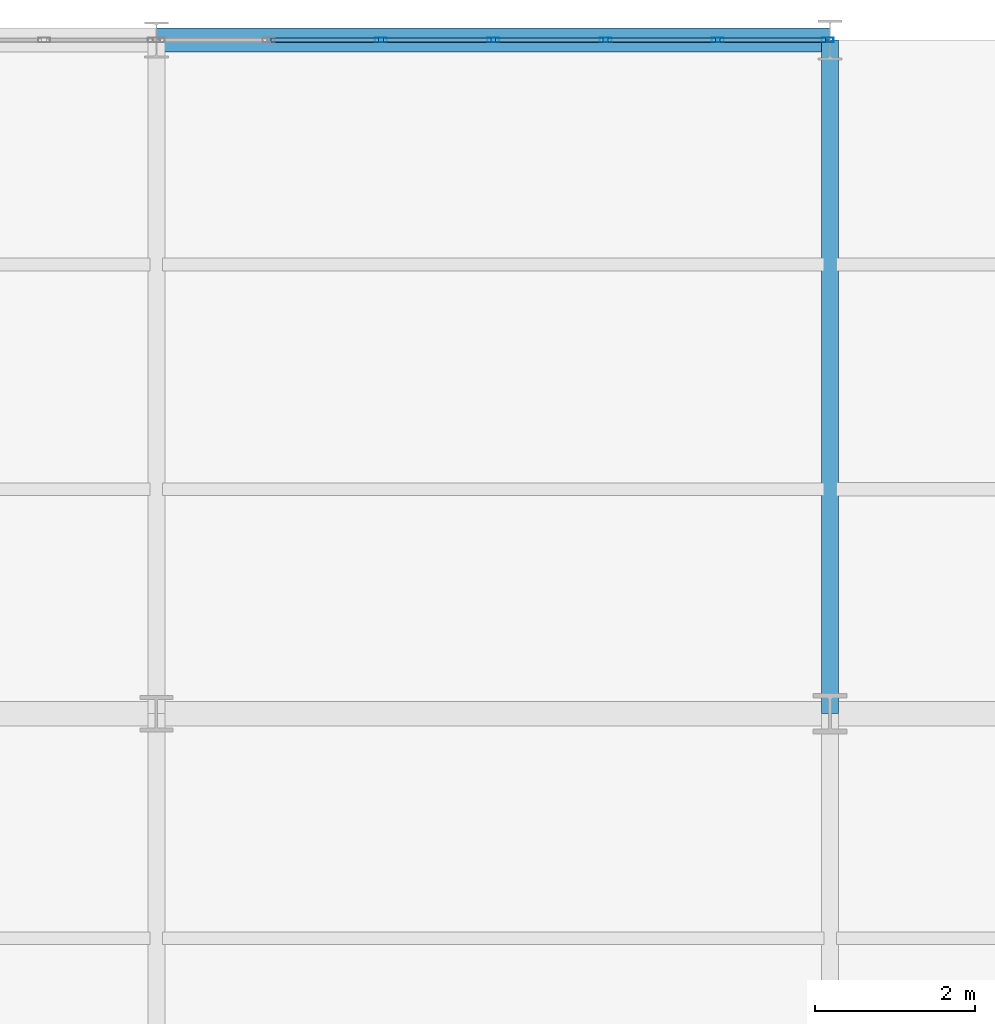
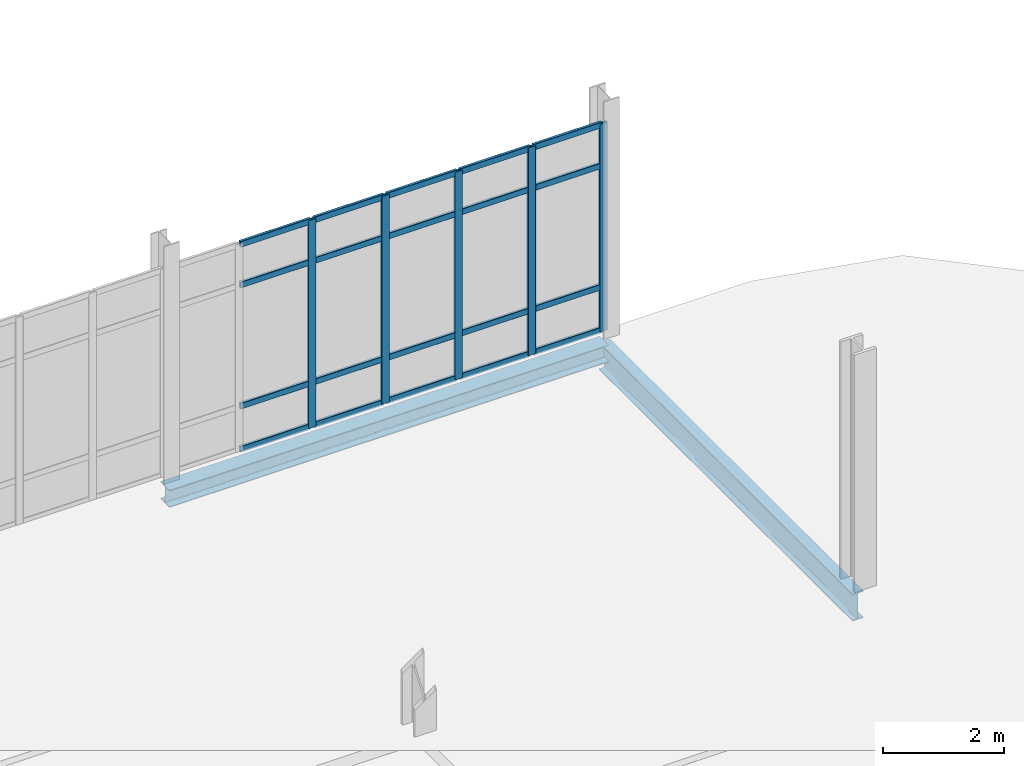
# One storey, part 107 of 145: 25 members, 2 beams, 1 element without a shape of its own.
"""IFC4 building model written with IfcOpenShell, lengths in metres."""

from ifc_helpers import new_model, si_unit, direction, frame, origin, origin_2d, place, context, subcontext, project, spatial, hollow_rectangle, i_section, extrude, material, layer, layer_set, material_profile, profile_set, type_object, element, aggregate, save


model = new_model("IFC4")

# Units and contexts
model_context = context("Model", 3, precision=1e-05, world=origin(), true_north=direction((0.0, 1.0)))
body_context = subcontext(model_context, "Body", "Model", "MODEL_VIEW")
ifc_project = project(units=[si_unit("LENGTHUNIT", "METRE"), si_unit("AREAUNIT", "SQUARE_METRE"), si_unit("VOLUMEUNIT", "CUBIC_METRE"), si_unit("PLANEANGLEUNIT", "RADIAN"), si_unit("MASSUNIT", "GRAM", prefix="KILO")], contexts=[model_context])

# Site, building, storey
site_placement = place(None, origin())
site = spatial("IfcSite", under=ifc_project, at=site_placement, CompositionType="ELEMENT")
building_placement = place(site_placement, origin())
building = spatial("IfcBuilding", under=site, at=building_placement, Name="Qalvenar Corner Mobility Hub", CompositionType="ELEMENT")
storey_placement = place(building_placement, origin())
storey = spatial("IfcBuildingStorey", under=building, at=storey_placement, Name="L00", CompositionType="ELEMENT", Elevation=0.0)

# Beams
ifc_material_1 = material(Name="Steel S355", Category="steel")
ifc_material_profile_1 = material_profile(ifc_material_1, i_section(OverallWidth=0.2099609375, OverallDepth=0.550048828125, WebThickness=0.010986328125, FlangeThickness=0.01708984375, FilletRadius=0.02392578125, at=origin_2d()), Name="IPE550")
ifc_profile_set_1 = profile_set([ifc_material_profile_1], Name="Steel S355")
beam_type_1 = type_object("IfcBeamType", Name="BM-IPE550", PredefinedType="BEAM", material=ifc_profile_set_1)
beam_1_placement = place(storey_placement, frame((134.39990234375, 109.199951171875, -0.4951171875), z_axis=(0.0, 1.0, 0.0), x_axis=(-1.0, 0.0, 0.0)))
element("IfcBeam", 1, at=beam_1_placement, inside=storey, type_object=beam_type_1, Name="Primary Steel Girder GY-0646", PredefinedType="BEAM", context=body_context, shape_type="SweptSolid", body=[
    extrude(i_section(OverallWidth=0.2099609375, OverallDepth=0.550048828125, WebThickness=0.010986328125, FlangeThickness=0.01708984375, FilletRadius=0.02392578125, at=origin_2d()), origin(), (0.0, 0.0, 1.0), 8.400146484375),
])
ifc_material_profile_2 = material_profile(ifc_material_1, i_section(OverallWidth=0.300048828125, OverallDepth=0.35009765625, WebThickness=0.010009765625, FlangeThickness=0.017578125, FilletRadius=0.027099609375, at=origin_2d()), Name="HEA360")
ifc_profile_set_2 = profile_set([ifc_material_profile_2], Name="Steel S355")
beam_type_2 = type_object("IfcBeamType", Name="BM-SPN360", PredefinedType="SPANDREL", material=ifc_profile_set_2)
beam_2_placement = place(storey_placement, frame((126.0, 117.60009765625, -0.39501953125), z_axis=(1.0, 0.0, 0.0), x_axis=(0.0, 1.0, 0.0)))
element("IfcBeam", 2, at=beam_2_placement, inside=storey, type_object=beam_type_2, Name="Primary Steel Girder GX-0588", PredefinedType="SPANDREL", context=body_context, shape_type="SweptSolid", body=[
    extrude(i_section(OverallWidth=0.300048828125, OverallDepth=0.35009765625, WebThickness=0.010009765625, FlangeThickness=0.017578125, FilletRadius=0.027099609375, at=origin_2d()), origin(), (0.0, 0.0, 1.0), 8.39990234375),
])

# Curtain wall, members
ifc_material_2 = material(Name="Anodised Aluminium and Low-E Glazing", Category="aluminium")
ifc_layer = layer(ifc_material_2, 0.14990234375)
ifc_layer_set = layer_set([ifc_layer], Name="Anodised Aluminium and Low-E Glazing")
curtain_wall_type = type_object("IfcCurtainWallType", Name="CW-MOB-84X46", PredefinedType="NOTDEFINED", material=ifc_layer_set)
curtain_wall_placement = place(storey_placement, origin())
curtain_wall = element("IfcCurtainWall", 3, at=curtain_wall_placement, inside=storey, type_object=curtain_wall_type, Name="Glazed Curtain Wall CW-V4-L00-N8", PredefinedType="NOTDEFINED")
ifc_material_3 = material(Name="Anodised Aluminium 6063-T6", Category="aluminium")
ifc_material_profile_3 = material_profile(ifc_material_3, hollow_rectangle(XDim=0.06005859375, YDim=0.14990234375, WallThickness=0.00390625, InnerFilletRadius=0.00390625, OuterFilletRadius=0.008056640625, at=origin_2d()), Name="RHS150x60x4")
ifc_profile_set_3 = profile_set([ifc_material_profile_3], Name="Anodised Aluminium 6063-T6")
member_type_1 = type_object("IfcMemberType", Name="CW-MUL150", PredefinedType="MULLION", material=ifc_profile_set_3)
member_1_placement = place(storey_placement, frame((134.3701171875, 117.60009765625, 0.0), z_axis=(0.0, 0.0, 1.0), x_axis=(0.0, -1.0, 0.0)))
member_1 = element("IfcMember", 4, at=member_1_placement, type_object=member_type_1, Name="CW-03 mullion 1", PredefinedType="MULLION", context=body_context, shape_type="SweptSolid", body=[
    extrude(hollow_rectangle(XDim=0.06005859375, YDim=0.14990234375, WallThickness=0.00390625, InnerFilletRadius=0.00390625, OuterFilletRadius=0.008056640625, at=origin_2d()), origin(), (0.0, 0.0, 1.0), 4.199951171875),
])
member_2_placement = place(storey_placement, frame((133.0, 117.60009765625, 0.0), z_axis=(0.0, 0.0, 1.0), x_axis=(0.0, -1.0, 0.0)))
member_2 = element("IfcMember", 5, at=member_2_placement, type_object=member_type_1, Name="CW-03 mullion 2", PredefinedType="MULLION", context=body_context, shape_type="SweptSolid", body=[
    extrude(hollow_rectangle(XDim=0.06005859375, YDim=0.14990234375, WallThickness=0.00390625, InnerFilletRadius=0.00390625, OuterFilletRadius=0.008056640625, at=origin_2d()), origin(), (0.0, 0.0, 1.0), 4.199951171875),
])
member_3_placement = place(storey_placement, frame((131.60009765625, 117.60009765625, 0.0), z_axis=(0.0, 0.0, 1.0), x_axis=(0.0, -1.0, 0.0)))
member_3 = element("IfcMember", 6, at=member_3_placement, type_object=member_type_1, Name="CW-03 mullion 3", PredefinedType="MULLION", context=body_context, shape_type="SweptSolid", body=[
    extrude(hollow_rectangle(XDim=0.06005859375, YDim=0.14990234375, WallThickness=0.00390625, InnerFilletRadius=0.00390625, OuterFilletRadius=0.008056640625, at=origin_2d()), origin(), (0.0, 0.0, 1.0), 4.199951171875),
])
member_4_placement = place(storey_placement, frame((130.199951171875, 117.60009765625, 0.0), z_axis=(0.0, 0.0, 1.0), x_axis=(0.0, -1.0, 0.0)))
member_4 = element("IfcMember", 7, at=member_4_placement, type_object=member_type_1, Name="CW-03 mullion 4", PredefinedType="MULLION", context=body_context, shape_type="SweptSolid", body=[
    extrude(hollow_rectangle(XDim=0.06005859375, YDim=0.14990234375, WallThickness=0.00390625, InnerFilletRadius=0.00390625, OuterFilletRadius=0.008056640625, at=origin_2d()), origin(), (0.0, 0.0, 1.0), 4.199951171875),
])
member_5_placement = place(storey_placement, frame((128.800048828125, 117.60009765625, 0.0), z_axis=(0.0, 0.0, 1.0), x_axis=(0.0, -1.0, 0.0)))
member_5 = element("IfcMember", 8, at=member_5_placement, type_object=member_type_1, Name="CW-03 mullion 5", PredefinedType="MULLION", context=body_context, shape_type="SweptSolid", body=[
    extrude(hollow_rectangle(XDim=0.06005859375, YDim=0.14990234375, WallThickness=0.00390625, InnerFilletRadius=0.00390625, OuterFilletRadius=0.008056640625, at=origin_2d()), origin(), (0.0, 0.0, 1.0), 4.199951171875),
])
ifc_material_profile_4 = material_profile(ifc_material_3, hollow_rectangle(XDim=0.054931640625, YDim=0.1201171875, WallThickness=0.00341796875, InnerFilletRadius=0.00341796875, OuterFilletRadius=0.007080078125, at=origin_2d()), Name="RHS120x55x3.5")
ifc_profile_set_4 = profile_set([ifc_material_profile_4], Name="Anodised Aluminium 6063-T6")
member_type_2 = type_object("IfcMemberType", Name="CW-TRN120", PredefinedType="USERDEFINED", material=ifc_profile_set_4)
member_6_placement = place(storey_placement, frame((134.340087890625, 117.60009765625, 0.027587890625), z_axis=(-1.0, 0.0, 0.0), x_axis=(0.0, -1.0, 0.0)))
member_6 = element("IfcMember", 9, at=member_6_placement, type_object=member_type_2, Name="CW-03 transom 1.1", ObjectType="TRANSOM", PredefinedType="USERDEFINED", context=body_context, shape_type="SweptSolid", body=[
    extrude(hollow_rectangle(XDim=0.054931640625, YDim=0.1201171875, WallThickness=0.00341796875, InnerFilletRadius=0.00341796875, OuterFilletRadius=0.007080078125, at=origin_2d()), origin(), (0.0, 0.0, 1.0), 1.31005859375),
])
member_7_placement = place(storey_placement, frame((134.340087890625, 117.60009765625, 0.89990234375), z_axis=(-1.0, 0.0, 0.0), x_axis=(0.0, -1.0, 0.0)))
member_7 = element("IfcMember", 10, at=member_7_placement, type_object=member_type_2, Name="CW-03 transom 1.2", ObjectType="TRANSOM", PredefinedType="USERDEFINED", context=body_context, shape_type="SweptSolid", body=[
    extrude(hollow_rectangle(XDim=0.054931640625, YDim=0.1201171875, WallThickness=0.00341796875, InnerFilletRadius=0.00341796875, OuterFilletRadius=0.007080078125, at=origin_2d()), origin(), (0.0, 0.0, 1.0), 1.31005859375),
])
member_8_placement = place(storey_placement, frame((134.340087890625, 117.60009765625, 3.35009765625), z_axis=(-1.0, 0.0, 0.0), x_axis=(0.0, -1.0, 0.0)))
member_8 = element("IfcMember", 11, at=member_8_placement, type_object=member_type_2, Name="CW-03 transom 1.3", ObjectType="TRANSOM", PredefinedType="USERDEFINED", context=body_context, shape_type="SweptSolid", body=[
    extrude(hollow_rectangle(XDim=0.054931640625, YDim=0.1201171875, WallThickness=0.00341796875, InnerFilletRadius=0.00341796875, OuterFilletRadius=0.007080078125, at=origin_2d()), origin(), (0.0, 0.0, 1.0), 1.31005859375),
])
member_9_placement = place(storey_placement, frame((134.340087890625, 117.60009765625, 4.172607421875), z_axis=(-1.0, 0.0, 0.0), x_axis=(0.0, -1.0, 0.0)))
member_9 = element("IfcMember", 12, at=member_9_placement, type_object=member_type_2, Name="CW-03 transom 1.4", ObjectType="TRANSOM", PredefinedType="USERDEFINED", context=body_context, shape_type="SweptSolid", body=[
    extrude(hollow_rectangle(XDim=0.054931640625, YDim=0.1201171875, WallThickness=0.00341796875, InnerFilletRadius=0.00341796875, OuterFilletRadius=0.007080078125, at=origin_2d()), origin(), (0.0, 0.0, 1.0), 1.31005859375),
])
member_10_placement = place(storey_placement, frame((132.969970703125, 117.60009765625, 0.027587890625), z_axis=(-1.0, 0.0, 0.0), x_axis=(0.0, -1.0, 0.0)))
member_10 = element("IfcMember", 13, at=member_10_placement, type_object=member_type_2, Name="CW-03 transom 2.1", ObjectType="TRANSOM", PredefinedType="USERDEFINED", context=body_context, shape_type="SweptSolid", body=[
    extrude(hollow_rectangle(XDim=0.054931640625, YDim=0.1201171875, WallThickness=0.00341796875, InnerFilletRadius=0.00341796875, OuterFilletRadius=0.007080078125, at=origin_2d()), origin(), (0.0, 0.0, 1.0), 1.340087890625),
])
member_11_placement = place(storey_placement, frame((132.969970703125, 117.60009765625, 0.89990234375), z_axis=(-1.0, 0.0, 0.0), x_axis=(0.0, -1.0, 0.0)))
member_11 = element("IfcMember", 14, at=member_11_placement, type_object=member_type_2, Name="CW-03 transom 2.2", ObjectType="TRANSOM", PredefinedType="USERDEFINED", context=body_context, shape_type="SweptSolid", body=[
    extrude(hollow_rectangle(XDim=0.054931640625, YDim=0.1201171875, WallThickness=0.00341796875, InnerFilletRadius=0.00341796875, OuterFilletRadius=0.007080078125, at=origin_2d()), origin(), (0.0, 0.0, 1.0), 1.340087890625),
])
member_12_placement = place(storey_placement, frame((132.969970703125, 117.60009765625, 3.35009765625), z_axis=(-1.0, 0.0, 0.0), x_axis=(0.0, -1.0, 0.0)))
member_12 = element("IfcMember", 15, at=member_12_placement, type_object=member_type_2, Name="CW-03 transom 2.3", ObjectType="TRANSOM", PredefinedType="USERDEFINED", context=body_context, shape_type="SweptSolid", body=[
    extrude(hollow_rectangle(XDim=0.054931640625, YDim=0.1201171875, WallThickness=0.00341796875, InnerFilletRadius=0.00341796875, OuterFilletRadius=0.007080078125, at=origin_2d()), origin(), (0.0, 0.0, 1.0), 1.340087890625),
])
member_13_placement = place(storey_placement, frame((132.969970703125, 117.60009765625, 4.172607421875), z_axis=(-1.0, 0.0, 0.0), x_axis=(0.0, -1.0, 0.0)))
member_13 = element("IfcMember", 16, at=member_13_placement, type_object=member_type_2, Name="CW-03 transom 2.4", ObjectType="TRANSOM", PredefinedType="USERDEFINED", context=body_context, shape_type="SweptSolid", body=[
    extrude(hollow_rectangle(XDim=0.054931640625, YDim=0.1201171875, WallThickness=0.00341796875, InnerFilletRadius=0.00341796875, OuterFilletRadius=0.007080078125, at=origin_2d()), origin(), (0.0, 0.0, 1.0), 1.340087890625),
])
member_14_placement = place(storey_placement, frame((131.570068359375, 117.60009765625, 0.027587890625), z_axis=(-1.0, 0.0, 0.0), x_axis=(0.0, -1.0, 0.0)))
member_14 = element("IfcMember", 17, at=member_14_placement, type_object=member_type_2, Name="CW-03 transom 3.1", ObjectType="TRANSOM", PredefinedType="USERDEFINED", context=body_context, shape_type="SweptSolid", body=[
    extrude(hollow_rectangle(XDim=0.054931640625, YDim=0.1201171875, WallThickness=0.00341796875, InnerFilletRadius=0.00341796875, OuterFilletRadius=0.007080078125, at=origin_2d()), origin(), (0.0, 0.0, 1.0), 1.340087890625),
])
member_15_placement = place(storey_placement, frame((131.570068359375, 117.60009765625, 0.89990234375), z_axis=(-1.0, 0.0, 0.0), x_axis=(0.0, -1.0, 0.0)))
member_15 = element("IfcMember", 18, at=member_15_placement, type_object=member_type_2, Name="CW-03 transom 3.2", ObjectType="TRANSOM", PredefinedType="USERDEFINED", context=body_context, shape_type="SweptSolid", body=[
    extrude(hollow_rectangle(XDim=0.054931640625, YDim=0.1201171875, WallThickness=0.00341796875, InnerFilletRadius=0.00341796875, OuterFilletRadius=0.007080078125, at=origin_2d()), origin(), (0.0, 0.0, 1.0), 1.340087890625),
])
member_16_placement = place(storey_placement, frame((131.570068359375, 117.60009765625, 3.35009765625), z_axis=(-1.0, 0.0, 0.0), x_axis=(0.0, -1.0, 0.0)))
member_16 = element("IfcMember", 19, at=member_16_placement, type_object=member_type_2, Name="CW-03 transom 3.3", ObjectType="TRANSOM", PredefinedType="USERDEFINED", context=body_context, shape_type="SweptSolid", body=[
    extrude(hollow_rectangle(XDim=0.054931640625, YDim=0.1201171875, WallThickness=0.00341796875, InnerFilletRadius=0.00341796875, OuterFilletRadius=0.007080078125, at=origin_2d()), origin(), (0.0, 0.0, 1.0), 1.340087890625),
])
member_17_placement = place(storey_placement, frame((131.570068359375, 117.60009765625, 4.172607421875), z_axis=(-1.0, 0.0, 0.0), x_axis=(0.0, -1.0, 0.0)))
member_17 = element("IfcMember", 20, at=member_17_placement, type_object=member_type_2, Name="CW-03 transom 3.4", ObjectType="TRANSOM", PredefinedType="USERDEFINED", context=body_context, shape_type="SweptSolid", body=[
    extrude(hollow_rectangle(XDim=0.054931640625, YDim=0.1201171875, WallThickness=0.00341796875, InnerFilletRadius=0.00341796875, OuterFilletRadius=0.007080078125, at=origin_2d()), origin(), (0.0, 0.0, 1.0), 1.340087890625),
])
member_18_placement = place(storey_placement, frame((130.169921875, 117.60009765625, 0.027587890625), z_axis=(-1.0, 0.0, 0.0), x_axis=(0.0, -1.0, 0.0)))
member_18 = element("IfcMember", 21, at=member_18_placement, type_object=member_type_2, Name="CW-03 transom 4.1", ObjectType="TRANSOM", PredefinedType="USERDEFINED", context=body_context, shape_type="SweptSolid", body=[
    extrude(hollow_rectangle(XDim=0.054931640625, YDim=0.1201171875, WallThickness=0.00341796875, InnerFilletRadius=0.00341796875, OuterFilletRadius=0.007080078125, at=origin_2d()), origin(), (0.0, 0.0, 1.0), 1.33984375),
])
member_19_placement = place(storey_placement, frame((130.169921875, 117.60009765625, 0.89990234375), z_axis=(-1.0, 0.0, 0.0), x_axis=(0.0, -1.0, 0.0)))
member_19 = element("IfcMember", 22, at=member_19_placement, type_object=member_type_2, Name="CW-03 transom 4.2", ObjectType="TRANSOM", PredefinedType="USERDEFINED", context=body_context, shape_type="SweptSolid", body=[
    extrude(hollow_rectangle(XDim=0.054931640625, YDim=0.1201171875, WallThickness=0.00341796875, InnerFilletRadius=0.00341796875, OuterFilletRadius=0.007080078125, at=origin_2d()), origin(), (0.0, 0.0, 1.0), 1.33984375),
])
member_20_placement = place(storey_placement, frame((130.169921875, 117.60009765625, 3.35009765625), z_axis=(-1.0, 0.0, 0.0), x_axis=(0.0, -1.0, 0.0)))
member_20 = element("IfcMember", 23, at=member_20_placement, type_object=member_type_2, Name="CW-03 transom 4.3", ObjectType="TRANSOM", PredefinedType="USERDEFINED", context=body_context, shape_type="SweptSolid", body=[
    extrude(hollow_rectangle(XDim=0.054931640625, YDim=0.1201171875, WallThickness=0.00341796875, InnerFilletRadius=0.00341796875, OuterFilletRadius=0.007080078125, at=origin_2d()), origin(), (0.0, 0.0, 1.0), 1.33984375),
])
member_21_placement = place(storey_placement, frame((130.169921875, 117.60009765625, 4.172607421875), z_axis=(-1.0, 0.0, 0.0), x_axis=(0.0, -1.0, 0.0)))
member_21 = element("IfcMember", 24, at=member_21_placement, type_object=member_type_2, Name="CW-03 transom 4.4", ObjectType="TRANSOM", PredefinedType="USERDEFINED", context=body_context, shape_type="SweptSolid", body=[
    extrude(hollow_rectangle(XDim=0.054931640625, YDim=0.1201171875, WallThickness=0.00341796875, InnerFilletRadius=0.00341796875, OuterFilletRadius=0.007080078125, at=origin_2d()), origin(), (0.0, 0.0, 1.0), 1.33984375),
])
member_22_placement = place(storey_placement, frame((128.77001953125, 117.60009765625, 0.027587890625), z_axis=(-1.0, 0.0, 0.0), x_axis=(0.0, -1.0, 0.0)))
member_22 = element("IfcMember", 25, at=member_22_placement, type_object=member_type_2, Name="CW-03 transom 5.1", ObjectType="TRANSOM", PredefinedType="USERDEFINED", context=body_context, shape_type="SweptSolid", body=[
    extrude(hollow_rectangle(XDim=0.054931640625, YDim=0.1201171875, WallThickness=0.00341796875, InnerFilletRadius=0.00341796875, OuterFilletRadius=0.007080078125, at=origin_2d()), origin(), (0.0, 0.0, 1.0), 1.340087890625),
])
member_23_placement = place(storey_placement, frame((128.77001953125, 117.60009765625, 0.89990234375), z_axis=(-1.0, 0.0, 0.0), x_axis=(0.0, -1.0, 0.0)))
member_23 = element("IfcMember", 26, at=member_23_placement, type_object=member_type_2, Name="CW-03 transom 5.2", ObjectType="TRANSOM", PredefinedType="USERDEFINED", context=body_context, shape_type="SweptSolid", body=[
    extrude(hollow_rectangle(XDim=0.054931640625, YDim=0.1201171875, WallThickness=0.00341796875, InnerFilletRadius=0.00341796875, OuterFilletRadius=0.007080078125, at=origin_2d()), origin(), (0.0, 0.0, 1.0), 1.340087890625),
])
member_24_placement = place(storey_placement, frame((128.77001953125, 117.60009765625, 3.35009765625), z_axis=(-1.0, 0.0, 0.0), x_axis=(0.0, -1.0, 0.0)))
member_24 = element("IfcMember", 27, at=member_24_placement, type_object=member_type_2, Name="CW-03 transom 5.3", ObjectType="TRANSOM", PredefinedType="USERDEFINED", context=body_context, shape_type="SweptSolid", body=[
    extrude(hollow_rectangle(XDim=0.054931640625, YDim=0.1201171875, WallThickness=0.00341796875, InnerFilletRadius=0.00341796875, OuterFilletRadius=0.007080078125, at=origin_2d()), origin(), (0.0, 0.0, 1.0), 1.340087890625),
])
member_25_placement = place(storey_placement, frame((128.77001953125, 117.60009765625, 4.172607421875), z_axis=(-1.0, 0.0, 0.0), x_axis=(0.0, -1.0, 0.0)))
member_25 = element("IfcMember", 28, at=member_25_placement, type_object=member_type_2, Name="CW-03 transom 5.4", ObjectType="TRANSOM", PredefinedType="USERDEFINED", context=body_context, shape_type="SweptSolid", body=[
    extrude(hollow_rectangle(XDim=0.054931640625, YDim=0.1201171875, WallThickness=0.00341796875, InnerFilletRadius=0.00341796875, OuterFilletRadius=0.007080078125, at=origin_2d()), origin(), (0.0, 0.0, 1.0), 1.340087890625),
])
aggregate(curtain_wall, [member_1, member_2, member_3, member_4, member_5, member_6, member_7, member_8, member_9, member_10, member_11, member_12, member_13, member_14, member_15, member_16, member_17, member_18, member_19, member_20, member_21, member_22, member_23, member_24, member_25])

save(model, "model.ifc")
